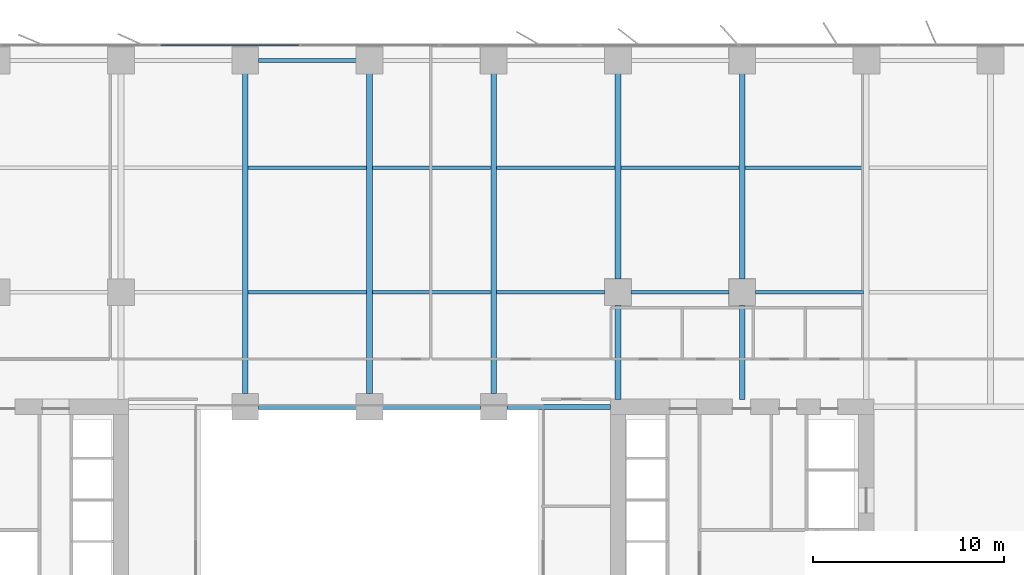
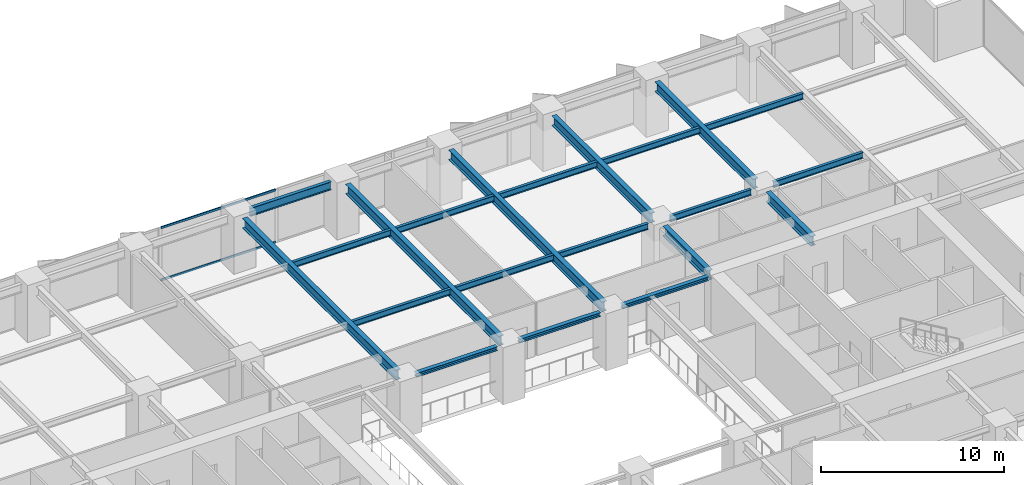
# One storey, part 8 of 20: 21 beams, 2 members, 1 element without a shape of its own.
"""IFC4 building model written with IfcOpenShell, lengths in metres."""

from ifc_helpers import new_model, si_unit, direction, frame, origin, origin_2d, place, context, subcontext, project, spatial, rectangle, i_section, extrude, material, layer, layer_set, material_profile, profile_set, type_object, element, aggregate, save


model = new_model("IFC4")

# Units and contexts
model_context = context("Model", 3, precision=1e-05, world=origin(), true_north=direction((0.0, 1.0)))
body_context = subcontext(model_context, "Body", "Model", "MODEL_VIEW")
ifc_project = project(units=[si_unit("LENGTHUNIT", "METRE"), si_unit("AREAUNIT", "SQUARE_METRE"), si_unit("VOLUMEUNIT", "CUBIC_METRE"), si_unit("PLANEANGLEUNIT", "RADIAN"), si_unit("MASSUNIT", "GRAM", prefix="KILO")], contexts=[model_context])

# Site, building, storey
site_placement = place(None, origin())
site = spatial("IfcSite", under=ifc_project, at=site_placement, CompositionType="ELEMENT")
building_placement = place(site_placement, origin())
building = spatial("IfcBuilding", under=site, at=building_placement, Name="Putna Gate Headquarters", CompositionType="ELEMENT")
storey_placement = place(building_placement, frame((0.0, 0.0, 50.60009765625)))
storey = spatial("IfcBuildingStorey", under=building, at=storey_placement, Name="L11", CompositionType="ELEMENT", Elevation=50.60009765625)

# Beams
ifc_material_1 = material(Name="Steel S355J2", Category="steel")
ifc_material_profile_1 = material_profile(ifc_material_1, i_section(OverallWidth=0.260009765625, OverallDepth=0.260009765625, WebThickness=0.010009765625, FlangeThickness=0.017578125, at=origin_2d()), Name="Steel S355J2")
ifc_profile_set_1 = profile_set([ifc_material_profile_1], Name="Steel S355J2")
beam_type_1 = type_object("IfcBeamType", Name="BM-ATRIUM-HEB260", PredefinedType="BEAM", material=ifc_profile_set_1)
for number, where, z_axis, x_axis, name in (
    (1, (33.18798828125, 33.0, 3.419921875), (1.0, 0.0, 0.0), (0.0, 1.0, 0.0), "L11 Atrium Edge Beam AN2"),
    (2, (39.68798828125, 33.0, 3.419921875), (1.0, 0.0, 0.0), (0.0, 1.0, 0.0), "L11 Atrium Edge Beam AN3"),
):
    element("IfcBeam", number, at=place(storey_placement, frame(where, z_axis=z_axis, x_axis=x_axis)), inside=storey, type_object=beam_type_1, Name=name, PredefinedType="BEAM", context=body_context, shape_type="SweptSolid", body=[
        extrude(i_section(OverallWidth=0.260009765625, OverallDepth=0.260009765625, WebThickness=0.010009765625, FlangeThickness=0.017578125, at=origin_2d()), origin(), (0.0, 0.0, 1.0), 5.1240234375),
    ])
beam_1_placement = place(storey_placement, frame((46.18798828125, 33.0, 3.419921875), z_axis=(1.0, 0.0, 0.0), x_axis=(0.0, 1.0, 0.0)))
element("IfcBeam", 3, at=beam_1_placement, inside=storey, type_object=beam_type_1, Name="L11 Atrium Edge Beam AN4", PredefinedType="BEAM", context=body_context, shape_type="SweptSolid", body=[
    extrude(i_section(OverallWidth=0.260009765625, OverallDepth=0.260009765625, WebThickness=0.010009765625, FlangeThickness=0.017578125, at=origin_2d()), origin(), (0.0, 0.0, 1.0), 5.427001953125),
])
ifc_material_profile_2 = material_profile(ifc_material_1, i_section(OverallWidth=0.300048828125, OverallDepth=0.64990234375, WebThickness=0.01611328125, FlangeThickness=0.031005859375, at=origin_2d()), Name="Steel S355J2")
ifc_profile_set_2 = profile_set([ifc_material_profile_2], Name="Steel S355J2")
beam_type_2 = type_object("IfcBeamType", Name="BM-GIRD-Z1-HEB650", PredefinedType="USERDEFINED", material=ifc_profile_set_2)
for number, where, z_axis, x_axis, name in (
    (4, (32.5, 33.68798828125, 3.224853515625), (0.0, 1.0, 0.0), (-1.0, 0.0, 0.0), "L11 North Primary Girder X32"),
    (5, (39.0, 33.68798828125, 3.224853515625), (0.0, 1.0, 0.0), (-1.0, 0.0, 0.0), "L11 North Primary Girder X39"),
    (6, (45.5, 33.68798828125, 3.224853515625), (0.0, 1.0, 0.0), (-1.0, 0.0, 0.0), "L11 North Primary Girder X45"),
):
    element("IfcBeam", number, at=place(storey_placement, frame(where, z_axis=z_axis, x_axis=x_axis)), inside=storey, type_object=beam_type_2, Name=name, ObjectType="GIRDER", PredefinedType="USERDEFINED", context=body_context, shape_type="SweptSolid", body=[
        extrude(i_section(OverallWidth=0.300048828125, OverallDepth=0.64990234375, WebThickness=0.01611328125, FlangeThickness=0.031005859375, at=origin_2d()), origin(), (0.0, 0.0, 1.0), 16.743896484375),
    ])
beam_2_placement = place(storey_placement, frame((52.0, 33.385009765625, 3.224853515625), z_axis=(0.0, 1.0, 0.0), x_axis=(-1.0, 0.0, 0.0)))
element("IfcBeam", 7, at=beam_2_placement, inside=storey, type_object=beam_type_2, Name="L11 North Primary Girder X52-1", ObjectType="GIRDER", PredefinedType="USERDEFINED", context=body_context, shape_type="SweptSolid", body=[
    extrude(i_section(OverallWidth=0.300048828125, OverallDepth=0.64990234375, WebThickness=0.01611328125, FlangeThickness=0.031005859375, at=origin_2d()), origin(), (0.0, 0.0, 1.0), 4.927001953125),
])
beam_3_placement = place(storey_placement, frame((52.0, 39.68798828125, 3.224853515625), z_axis=(0.0, 1.0, 0.0), x_axis=(-1.0, 0.0, 0.0)))
element("IfcBeam", 8, at=beam_3_placement, inside=storey, type_object=beam_type_2, Name="L11 North Primary Girder X52-2", ObjectType="GIRDER", PredefinedType="USERDEFINED", context=body_context, shape_type="SweptSolid", body=[
    extrude(i_section(OverallWidth=0.300048828125, OverallDepth=0.64990234375, WebThickness=0.01611328125, FlangeThickness=0.031005859375, at=origin_2d()), origin(), (0.0, 0.0, 1.0), 10.743896484375),
])
beam_4_placement = place(storey_placement, frame((58.5, 33.385009765625, 3.224853515625), z_axis=(0.0, 1.0, 0.0), x_axis=(-1.0, 0.0, 0.0)))
element("IfcBeam", 9, at=beam_4_placement, inside=storey, type_object=beam_type_2, Name="L11 North Primary Girder X58-1", ObjectType="GIRDER", PredefinedType="USERDEFINED", context=body_context, shape_type="SweptSolid", body=[
    extrude(i_section(OverallWidth=0.300048828125, OverallDepth=0.64990234375, WebThickness=0.01611328125, FlangeThickness=0.031005859375, at=origin_2d()), origin(), (0.0, 0.0, 1.0), 4.927001953125),
])
beam_5_placement = place(storey_placement, frame((58.5, 39.68798828125, 3.224853515625), z_axis=(0.0, 1.0, 0.0), x_axis=(-1.0, 0.0, 0.0)))
element("IfcBeam", 10, at=beam_5_placement, inside=storey, type_object=beam_type_2, Name="L11 North Primary Girder X58-2", ObjectType="GIRDER", PredefinedType="USERDEFINED", context=body_context, shape_type="SweptSolid", body=[
    extrude(i_section(OverallWidth=0.300048828125, OverallDepth=0.64990234375, WebThickness=0.01611328125, FlangeThickness=0.031005859375, at=origin_2d()), origin(), (0.0, 0.0, 1.0), 10.743896484375),
])
ifc_material_profile_3 = material_profile(ifc_material_1, i_section(OverallWidth=0.179931640625, OverallDepth=0.39990234375, WebThickness=0.008544921875, FlangeThickness=0.013427734375, at=origin_2d()), Name="Steel S355J2")
ifc_profile_set_3 = profile_set([ifc_material_profile_3], Name="Steel S355J2")
beam_type_3 = type_object("IfcBeamType", Name="BM-SEC-Z1-IPE400", PredefinedType="BEAM", material=ifc_profile_set_3)
for number, where, z_axis, x_axis, name in (
    (11, (32.654052734375, 39.0, 3.349853515625), (1.0, 0.0, 0.0), (0.0, 1.0, 0.0), "L11 North Secondary Beam 5"),
    (12, (32.654052734375, 45.5, 3.349853515625), (1.0, 0.0, 0.0), (0.0, 1.0, 0.0), "L11 North Secondary Beam 5"),
    (13, (39.154052734375, 39.0, 3.349853515625), (1.0, 0.0, 0.0), (0.0, 1.0, 0.0), "L11 North Secondary Beam 6"),
    (14, (39.154052734375, 45.5, 3.349853515625), (1.0, 0.0, 0.0), (0.0, 1.0, 0.0), "L11 North Secondary Beam 6"),
):
    element("IfcBeam", number, at=place(storey_placement, frame(where, z_axis=z_axis, x_axis=x_axis)), inside=storey, type_object=beam_type_3, Name=name, PredefinedType="BEAM", context=body_context, shape_type="SweptSolid", body=[
        extrude(i_section(OverallWidth=0.179931640625, OverallDepth=0.39990234375, WebThickness=0.008544921875, FlangeThickness=0.013427734375, at=origin_2d()), origin(), (0.0, 0.0, 1.0), 6.19189453125),
    ])
beam_6_placement = place(storey_placement, frame((45.654052734375, 39.0, 3.349853515625), z_axis=(1.0, 0.0, 0.0), x_axis=(0.0, 1.0, 0.0)))
element("IfcBeam", 15, at=beam_6_placement, inside=storey, type_object=beam_type_3, Name="L11 North Secondary Beam 7", PredefinedType="BEAM", context=body_context, shape_type="SweptSolid", body=[
    extrude(i_section(OverallWidth=0.179931640625, OverallDepth=0.39990234375, WebThickness=0.008544921875, FlangeThickness=0.013427734375, at=origin_2d()), origin(), (0.0, 0.0, 1.0), 5.657958984375),
])
beam_7_placement = place(storey_placement, frame((45.654052734375, 45.5, 3.349853515625), z_axis=(1.0, 0.0, 0.0), x_axis=(0.0, 1.0, 0.0)))
element("IfcBeam", 16, at=beam_7_placement, inside=storey, type_object=beam_type_3, Name="L11 North Secondary Beam 7", PredefinedType="BEAM", context=body_context, shape_type="SweptSolid", body=[
    extrude(i_section(OverallWidth=0.179931640625, OverallDepth=0.39990234375, WebThickness=0.008544921875, FlangeThickness=0.013427734375, at=origin_2d()), origin(), (0.0, 0.0, 1.0), 6.19189453125),
])
beam_8_placement = place(storey_placement, frame((52.68798828125, 39.0, 3.349853515625), z_axis=(1.0, 0.0, 0.0), x_axis=(0.0, 1.0, 0.0)))
element("IfcBeam", 17, at=beam_8_placement, inside=storey, type_object=beam_type_3, Name="L11 North Secondary Beam 8", PredefinedType="BEAM", context=body_context, shape_type="SweptSolid", body=[
    extrude(i_section(OverallWidth=0.179931640625, OverallDepth=0.39990234375, WebThickness=0.008544921875, FlangeThickness=0.013427734375, at=origin_2d()), origin(), (0.0, 0.0, 1.0), 5.1240234375),
])
beam_9_placement = place(storey_placement, frame((52.154052734375, 45.5, 3.349853515625), z_axis=(1.0, 0.0, 0.0), x_axis=(0.0, 1.0, 0.0)))
element("IfcBeam", 18, at=beam_9_placement, inside=storey, type_object=beam_type_3, Name="L11 North Secondary Beam 8", PredefinedType="BEAM", context=body_context, shape_type="SweptSolid", body=[
    extrude(i_section(OverallWidth=0.179931640625, OverallDepth=0.39990234375, WebThickness=0.008544921875, FlangeThickness=0.013427734375, at=origin_2d()), origin(), (0.0, 0.0, 1.0), 6.19189453125),
])
beam_10_placement = place(storey_placement, frame((59.18798828125, 39.0, 3.349853515625), z_axis=(1.0, 0.0, 0.0), x_axis=(0.0, 1.0, 0.0)))
element("IfcBeam", 19, at=beam_10_placement, inside=storey, type_object=beam_type_3, Name="L11 North Secondary Beam 9", PredefinedType="BEAM", context=body_context, shape_type="SweptSolid", body=[
    extrude(i_section(OverallWidth=0.179931640625, OverallDepth=0.39990234375, WebThickness=0.008544921875, FlangeThickness=0.013427734375, at=origin_2d()), origin(), (0.0, 0.0, 1.0), 5.657958984375),
])
beam_11_placement = place(storey_placement, frame((58.654052734375, 45.5, 3.349853515625), z_axis=(1.0, 0.0, 0.0), x_axis=(0.0, 1.0, 0.0)))
element("IfcBeam", 20, at=beam_11_placement, inside=storey, type_object=beam_type_3, Name="L11 North Secondary Beam 9", PredefinedType="BEAM", context=body_context, shape_type="SweptSolid", body=[
    extrude(i_section(OverallWidth=0.179931640625, OverallDepth=0.39990234375, WebThickness=0.008544921875, FlangeThickness=0.013427734375, at=origin_2d()), origin(), (0.0, 0.0, 1.0), 6.19189453125),
])
ifc_material_profile_4 = material_profile(ifc_material_1, i_section(OverallWidth=0.2099609375, OverallDepth=0.550048828125, WebThickness=0.010986328125, FlangeThickness=0.01708984375, at=origin_2d()), Name="Steel S355J2")
ifc_profile_set_4 = profile_set([ifc_material_profile_4], Name="Steel S355J2")
beam_type_4 = type_object("IfcBeamType", Name="BM-SPAN-Z1-IPE550", PredefinedType="SPANDREL", material=ifc_profile_set_4)
beam_12_placement = place(storey_placement, frame((33.18798828125, 51.1201171875, 3.27490234375), z_axis=(1.0, 0.0, 0.0), x_axis=(0.0, 1.0, 0.0)))
element("IfcBeam", 21, at=beam_12_placement, inside=storey, type_object=beam_type_4, Name="L11 N Perimeter Spandrel 5", PredefinedType="SPANDREL", context=body_context, shape_type="SweptSolid", body=[
    extrude(i_section(OverallWidth=0.2099609375, OverallDepth=0.550048828125, WebThickness=0.010986328125, FlangeThickness=0.01708984375, at=origin_2d()), origin(), (0.0, 0.0, 1.0), 5.1240234375),
])

# Curtain wall, members
ifc_material_2 = material(Name="Anodised bronze aluminium curtain wall", Category="aluminium")
ifc_layer = layer(ifc_material_2, 0.179931640625)
ifc_layer_set = layer_set([ifc_layer], Name="Anodised bronze aluminium curtain wall")
curtain_wall_type = type_object("IfcCurtainWallType", Name="CW-SYS-ATR", PredefinedType="USERDEFINED", material=ifc_layer_set)
curtain_wall_placement = place(storey_placement, origin())
curtain_wall = element("IfcCurtainWall", 22, at=curtain_wall_placement, inside=storey, type_object=curtain_wall_type, Name="L11 North Atrium Clear Glazing", ObjectType="ATRIUM GLAZING", PredefinedType="USERDEFINED")
ifc_material_3 = material(Name="Anodised bronze aluminium EN AW-6060", Category="aluminium")
ifc_material_profile_5 = material_profile(ifc_material_3, rectangle(XDim=0.070068359375, YDim=0.139892578125, at=origin_2d()), Name="Anodised bronze aluminium EN AW-6060")
ifc_profile_set_5 = profile_set([ifc_material_profile_5], Name="Anodised bronze aluminium EN AW-6060")
member_type = type_object("IfcMemberType", Name="TRAN-CWT-AT", PredefinedType="USERDEFINED", material=ifc_profile_set_5)
member_1_placement = place(storey_placement, frame((28.070068359375, 51.919921875, 0.034912109375), z_axis=(1.0, 0.0, 0.0), x_axis=(0.0, 1.0, 0.0)))
member_1 = element("IfcMember", 23, at=member_1_placement, type_object=member_type, Name="CWS-AT transom 1.1", ObjectType="TRANSOM", PredefinedType="USERDEFINED", context=body_context, shape_type="SweptSolid", body=[
    extrude(rectangle(XDim=0.070068359375, YDim=0.139892578125, at=origin_2d()), origin(), (0.0, 0.0, 1.0), 7.228271484375),
])
member_2_placement = place(storey_placement, frame((28.070068359375, 51.919921875, 3.514892578125), z_axis=(1.0, 0.0, 0.0), x_axis=(0.0, 1.0, 0.0)))
member_2 = element("IfcMember", 24, at=member_2_placement, type_object=member_type, Name="CWS-AT transom 1.2", ObjectType="TRANSOM", PredefinedType="USERDEFINED", context=body_context, shape_type="SweptSolid", body=[
    extrude(rectangle(XDim=0.070068359375, YDim=0.139892578125, at=origin_2d()), origin(), (0.0, 0.0, 1.0), 7.228271484375),
])
aggregate(curtain_wall, [member_1, member_2])

save(model, "model.ifc")
